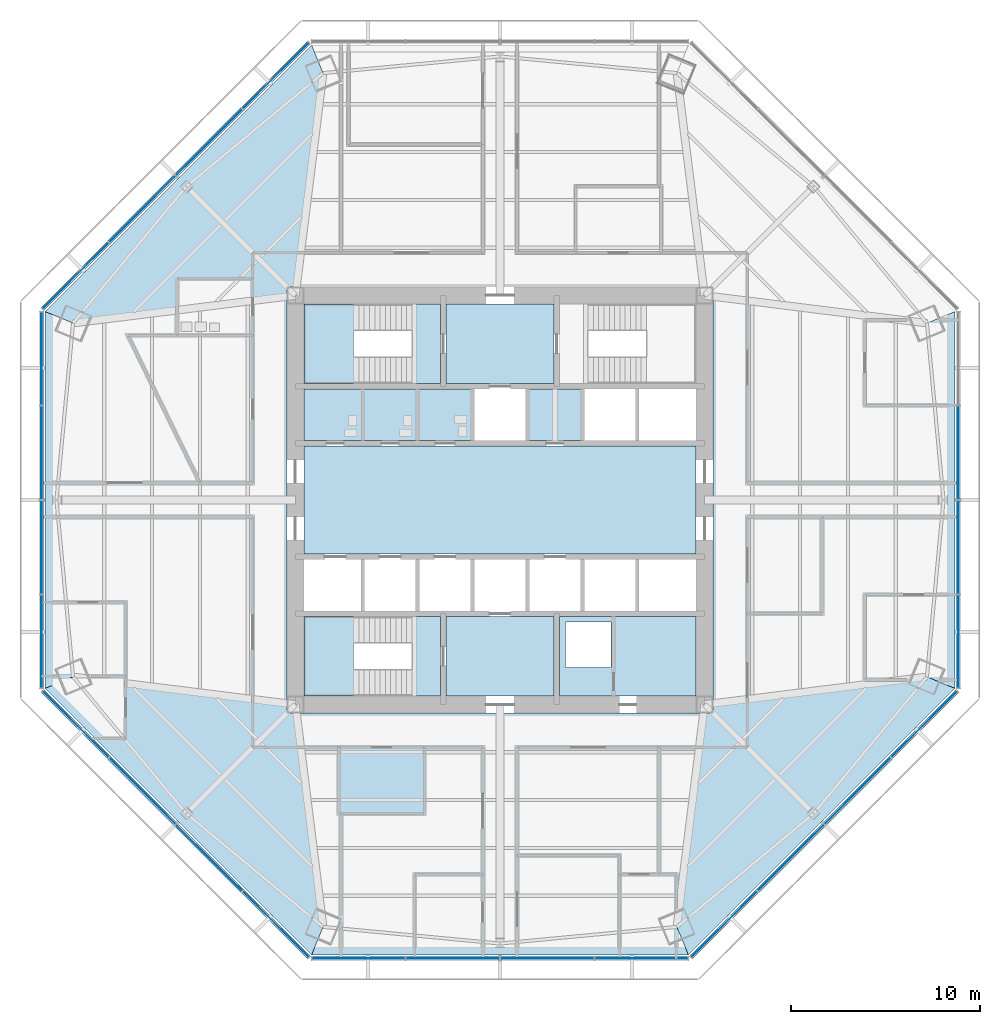
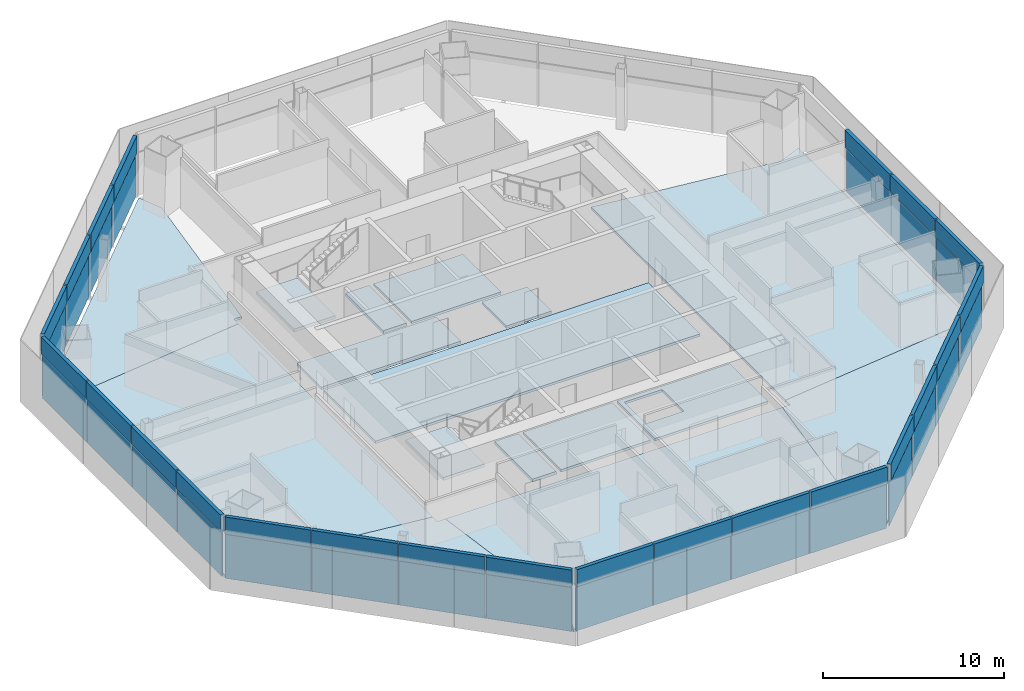
# One storey, part 7 of 14: 46 plates, 16 slabs, 8 elements without a shape of their own.
"""IFC4 building model written with IfcOpenShell, lengths in metres."""

from ifc_helpers import new_model, si_unit, direction, frame, origin, origin_2d, place, context, subcontext, project, spatial, polyline, rectangle, outline, extrude, source, transform, mapped, material, layer, layer_set, type_object, type_shapes, element, aggregate, save


model = new_model("IFC4")

# Units and contexts
model_context = context("Model", 3, precision=1e-05, world=origin(), true_north=direction((0.0, 1.0)))
body_context = subcontext(model_context, "Body", "Model", "MODEL_VIEW")
ifc_project = project(units=[si_unit("LENGTHUNIT", "METRE"), si_unit("AREAUNIT", "SQUARE_METRE"), si_unit("VOLUMEUNIT", "CUBIC_METRE"), si_unit("PLANEANGLEUNIT", "RADIAN"), si_unit("MASSUNIT", "GRAM", prefix="KILO")], contexts=[model_context])

# Site, building, storey
site_placement = place(None, origin())
site = spatial("IfcSite", under=ifc_project, at=site_placement, CompositionType="ELEMENT")
building_placement = place(site_placement, origin())
building = spatial("IfcBuilding", under=site, at=building_placement, Name="Mashrafa Tower", CompositionType="ELEMENT")
storey_placement = place(building_placement, frame((0.0, 0.0, 134.39990234375)))
storey = spatial("IfcBuildingStorey", under=building, at=storey_placement, Name="L30", CompositionType="ELEMENT", Elevation=134.39990234375)

# Slabs
ifc_material_1 = material(Name="Concrete C35/45", Category="concrete")
ifc_layer_1 = layer(ifc_material_1, 0.1650390625)
ifc_layer_set_1 = layer_set([ifc_layer_1], Name="Floor slab 165")
slab_type_1 = type_object("IfcSlabType", Name="Floor slab 165", PredefinedType="FLOOR", material=ifc_layer_set_1)
slab_1_placement = place(storey_placement, frame((0.0, 0.0, -0.164794921875)))
element("IfcSlab", 1, at=slab_1_placement, inside=storey, type_object=slab_type_1, Name="Floor slab L30 east bay", PredefinedType="FLOOR", context=body_context, shape_type="SweptSolid", body=[
    extrude(outline(polyline([(24.0126953125, -9.9462890625), (22.539306640625, -9.3359375), (11.25, -10.743896484375), (11.25, 10.743896484375), (22.539306640625, 9.3359375), (24.0126953125, 9.9462890625), (24.0126953125, -9.9462890625)])), origin(), (0.0, 0.0, 1.0), 0.164794921875),
])
slab_2_placement = place(storey_placement, frame((0.0, 0.0, -0.164794921875)))
element("IfcSlab", 2, at=slab_2_placement, inside=storey, type_object=slab_type_1, Name="Floor slab L30 north-west bay", PredefinedType="FLOOR", context=body_context, shape_type="SweptSolid", body=[
    extrude(outline(polyline([(-24.0126953125, 9.9462890625), (-9.9462890625, 24.0126953125), (-9.9462890625, 24.0126953125), (-9.3359375, 22.539306640625), (-10.743896484375, 11.25), (-11.25, 11.25), (-11.25, 10.743896484375), (-22.539306640625, 9.3359375), (-24.0126953125, 9.9462890625), (-24.0126953125, 9.9462890625)])), origin(), (0.0, 0.0, 1.0), 0.164794921875),
])
slab_3_placement = place(storey_placement, frame((0.0, 0.0, -0.164794921875)))
element("IfcSlab", 3, at=slab_3_placement, inside=storey, type_object=slab_type_1, Name="Floor slab L30 west bay", PredefinedType="FLOOR", context=body_context, shape_type="SweptSolid", body=[
    extrude(outline(polyline([(-24.0126953125, 9.9462890625), (-22.539306640625, 9.3359375), (-11.25, 10.743896484375), (-11.25, -10.743896484375), (-22.539306640625, -9.3359375), (-24.0126953125, -9.9462890625), (-24.0126953125, 9.9462890625)])), origin(), (0.0, 0.0, 1.0), 0.164794921875),
])
slab_4_placement = place(storey_placement, frame((0.0, 0.0, -0.164794921875)))
element("IfcSlab", 4, at=slab_4_placement, inside=storey, type_object=slab_type_1, Name="Floor slab L30 south-west bay", PredefinedType="FLOOR", context=body_context, shape_type="SweptSolid", body=[
    extrude(outline(polyline([(-9.9462890625, -24.0126953125), (-24.0126953125, -9.9462890625), (-24.0126953125, -9.9462890625), (-22.539306640625, -9.3359375), (-11.25, -10.743896484375), (-11.25, -11.25), (-10.743896484375, -11.25), (-9.3359375, -22.539306640625), (-9.9462890625, -24.0126953125), (-9.9462890625, -24.0126953125)])), origin(), (0.0, 0.0, 1.0), 0.164794921875),
])
slab_5_placement = place(storey_placement, frame((0.0, 0.0, -0.164794921875)))
element("IfcSlab", 5, at=slab_5_placement, inside=storey, type_object=slab_type_1, Name="Floor slab L30 south bay", PredefinedType="FLOOR", context=body_context, shape_type="SweptSolid", body=[
    extrude(outline(polyline([(-9.9462890625, -24.0126953125), (-9.3359375, -22.539306640625), (-10.743896484375, -11.25), (10.743896484375, -11.25), (9.3359375, -22.539306640625), (9.9462890625, -24.0126953125), (-9.9462890625, -24.0126953125)])), origin(), (0.0, 0.0, 1.0), 0.164794921875),
])
slab_6_placement = place(storey_placement, frame((0.0, 0.0, -0.164794921875)))
element("IfcSlab", 6, at=slab_6_placement, inside=storey, type_object=slab_type_1, Name="Floor slab L30 south-east bay", PredefinedType="FLOOR", context=body_context, shape_type="SweptSolid", body=[
    extrude(outline(polyline([(9.9462890625, -24.0126953125), (9.3359375, -22.539306640625), (10.743896484375, -11.25), (11.25, -11.25), (11.25, -10.743896484375), (22.539306640625, -9.3359375), (24.0126953125, -9.9462890625), (24.0126953125, -9.9462890625), (9.9462890625, -24.0126953125), (9.9462890625, -24.0126953125)])), origin(), (0.0, 0.0, 1.0), 0.164794921875),
])
slab_7_placement = place(storey_placement, frame((0.0, 0.0, -0.164794921875)))
element("IfcSlab", 7, at=slab_7_placement, inside=storey, type_object=slab_type_1, Name="Core floor lift hall L30", PredefinedType="FLOOR", context=body_context, shape_type="SweptSolid", body=[
    extrude(outline(polyline([(-10.35009765625, 2.85009765625), (10.35009765625, 2.85009765625), (10.35009765625, -2.85009765625), (-10.35009765625, -2.85009765625), (-10.35009765625, 2.85009765625)])), origin(), (0.0, 0.0, 1.0), 0.164794921875),
])
slab_8_placement = place(storey_placement, frame((0.0, 0.0, -0.164794921875)))
element("IfcSlab", 8, at=slab_8_placement, inside=storey, type_object=slab_type_1, Name="Core floor riser and electrical band L30", PredefinedType="FLOOR", context=body_context, shape_type="SweptSolid", body=[
    extrude(outline(polyline([(10.35009765625, -6.14990234375), (10.35009765625, -10.35009765625), (3.14990234375, -10.35009765625), (3.14990234375, -6.14990234375), (10.35009765625, -6.14990234375)]), holes=[polyline([(3.449951171875, -8.85009765625), (5.85009765625, -8.85009765625), (5.85009765625, -6.449951171875), (3.449951171875, -6.449951171875), (3.449951171875, -8.85009765625)])]), origin(), (0.0, 0.0, 1.0), 0.164794921875),
])
slab_9_placement = place(storey_placement, frame((0.0, 0.0, -0.164794921875)))
element("IfcSlab", 9, at=slab_9_placement, inside=storey, type_object=slab_type_1, Name="Core floor lift cell L30", PredefinedType="FLOOR", context=body_context, shape_type="SweptSolid", body=[
    extrude(outline(polyline([(-1.449951171875, 3.14990234375), (-10.35009765625, 3.14990234375), (-10.35009765625, 5.85009765625), (-1.449951171875, 5.85009765625), (-1.449951171875, 3.14990234375)])), origin(), (0.0, 0.0, 1.0), 0.164794921875),
])
slab_10_placement = place(storey_placement, frame((0.0, 0.0, -0.164794921875)))
element("IfcSlab", 10, at=slab_10_placement, inside=storey, type_object=slab_type_1, Name="Core floor fire-fighting lobby north L30", PredefinedType="FLOOR", context=body_context, shape_type="SweptSolid", body=[
    extrude(outline(polyline([(-2.85009765625, 10.35009765625), (2.85009765625, 10.35009765625), (2.85009765625, 6.14990234375), (-2.85009765625, 6.14990234375), (-2.85009765625, 10.35009765625)])), origin(), (0.0, 0.0, 1.0), 0.164794921875),
])
slab_11_placement = place(storey_placement, frame((0.0, 0.0, -0.164794921875)))
element("IfcSlab", 11, at=slab_11_placement, inside=storey, type_object=slab_type_1, Name="Core floor fire-fighting lobby south L30", PredefinedType="FLOOR", context=body_context, shape_type="SweptSolid", body=[
    extrude(outline(polyline([(2.85009765625, -6.14990234375), (2.85009765625, -10.35009765625), (-2.85009765625, -10.35009765625), (-2.85009765625, -6.14990234375), (2.85009765625, -6.14990234375)])), origin(), (0.0, 0.0, 1.0), 0.164794921875),
])
slab_12_placement = place(storey_placement, frame((0.0, 0.0, -0.164794921875)))
element("IfcSlab", 12, at=slab_12_placement, inside=storey, type_object=slab_type_1, Name="Core floor lift cell L30", PredefinedType="FLOOR", context=body_context, shape_type="SweptSolid", body=[
    extrude(outline(polyline([(4.35009765625, 5.85009765625), (4.35009765625, 3.14990234375), (1.449951171875, 3.14990234375), (1.449951171875, 5.85009765625), (4.35009765625, 5.85009765625)])), origin(), (0.0, 0.0, 1.0), 0.164794921875),
])

# Stair, slabs
ifc_material_2 = material(Name="Exit stair 1400")
stair_type = type_object("IfcStairType", Name="Exit stair 1400", PredefinedType="HALF_TURN_STAIR", material=ifc_material_2)
stair_1_placement = place(storey_placement, origin())
stair_1 = element("IfcStair", 13, at=stair_1_placement, inside=storey, type_object=stair_type, Name="Stair S1 L30", PredefinedType="HALF_TURN_STAIR")
ifc_material_3 = material(Name="Concrete C32/40", Category="concrete")
ifc_layer_2 = layer(ifc_material_3, 0.199951171875)
ifc_layer_set_2 = layer_set([ifc_layer_2], Name="Stair landing 200")
slab_type_2 = type_object("IfcSlabType", Name="Stair landing 200", PredefinedType="LANDING", material=ifc_layer_set_2)
slab_13_placement = place(storey_placement, frame((0.0, 0.0, -0.199951171875)))
slab_13 = element("IfcSlab", 14, at=slab_13_placement, type_object=slab_type_2, Name="S1 landing 1", PredefinedType="LANDING", context=body_context, shape_type="SweptSolid", body=[
    extrude(outline(polyline([(-4.659912109375, 6.14990234375), (-3.14990234375, 6.14990234375), (-3.14990234375, 10.35009765625), (-4.659912109375, 10.35009765625), (-4.659912109375, 6.14990234375)])), origin(), (0.0, 0.0, 1.0), 0.199951171875),
])
slab_14_placement = place(storey_placement, frame((0.0, 0.0, 1.900146484375)))
slab_14 = element("IfcSlab", 15, at=slab_14_placement, type_object=slab_type_2, Name="S1 landing 2", PredefinedType="LANDING", context=body_context, shape_type="SweptSolid", body=[
    extrude(outline(polyline([(-10.35009765625, 6.14990234375), (-7.719970703125, 6.14990234375), (-7.719970703125, 10.35009765625), (-10.35009765625, 10.35009765625), (-10.35009765625, 6.14990234375)])), origin(), (0.0, 0.0, 1.0), 0.199951171875),
])
aggregate(stair_1, [slab_13, slab_14])

stair_2_placement = place(storey_placement, origin())
stair_2 = element("IfcStair", 16, at=stair_2_placement, inside=storey, type_object=stair_type, Name="Stair S3 L30", PredefinedType="HALF_TURN_STAIR")
slab_15_placement = place(storey_placement, frame((0.0, 0.0, -0.199951171875)))
slab_15 = element("IfcSlab", 17, at=slab_15_placement, type_object=slab_type_2, Name="S3 landing 1", PredefinedType="LANDING", context=body_context, shape_type="SweptSolid", body=[
    extrude(outline(polyline([(-4.659912109375, -10.35009765625), (-3.14990234375, -10.35009765625), (-3.14990234375, -6.14990234375), (-4.659912109375, -6.14990234375), (-4.659912109375, -10.35009765625)])), origin(), (0.0, 0.0, 1.0), 0.199951171875),
])
slab_16_placement = place(storey_placement, frame((0.0, 0.0, 1.900146484375)))
slab_16 = element("IfcSlab", 18, at=slab_16_placement, type_object=slab_type_2, Name="S3 landing 2", PredefinedType="LANDING", context=body_context, shape_type="SweptSolid", body=[
    extrude(outline(polyline([(-10.35009765625, -10.35009765625), (-7.719970703125, -10.35009765625), (-7.719970703125, -6.14990234375), (-10.35009765625, -6.14990234375), (-10.35009765625, -10.35009765625)])), origin(), (0.0, 0.0, 1.0), 0.199951171875),
])
aggregate(stair_2, [slab_15, slab_16])

# Curtain wall, plate
ifc_material_4 = material(Name="Unitised aluminium curtain wall", Category="aluminium")
curtain_wall_type = type_object("IfcCurtainWallType", Name="Office curtain wall, zone 2 CW-B 225 deep", PredefinedType="NOTDEFINED", material=ifc_material_4)
curtain_wall_1_placement = place(storey_placement, origin())
curtain_wall_1 = element("IfcCurtainWall", 19, at=curtain_wall_1_placement, inside=storey, type_object=curtain_wall_type, Name="Office curtain wall, zone 2 L30 east", PredefinedType="NOTDEFINED")
ifc_material_5 = material(Name="Insulated double glazing, low-e, neutral", Category="glass")
ifc_layer_3 = layer(ifc_material_5, 0.028076171875)
ifc_layer_set_3 = layer_set([ifc_layer_3], Name="Vision panel CW-B 28")
plate_type_1 = type_object("IfcPlateType", Name="Vision panel CW-B 28", PredefinedType="CURTAIN_PANEL", material=ifc_layer_set_3)
shared_shape_1 = source(origin(), body_context, "Body", "SweptSolid", [
    extrude(rectangle(XDim=4.888916015625, YDim=0.028076171875, at=origin_2d()), origin(), (0.0, 0.0, 1.0), 2.9599609375),
])
plate_1_placement = place(storey_placement, frame((24.212646484375, -7.463134765625, 0.0), z_axis=(0.0, 0.0, 1.0), x_axis=(0.0, 1.0, 0.0)))
plate_1 = element("IfcPlate", 20, at=plate_1_placement, type_object=plate_type_1, Name="CW-B vision panel 1", PredefinedType="CURTAIN_PANEL", context=body_context, shape_type="MappedRepresentation", body=[
    mapped(shared_shape_1, transform((0.0, 0.0, 0.0))),
])

# Curtain wall, plates
curtain_wall_2_placement = place(storey_placement, origin())
curtain_wall_2 = element("IfcCurtainWall", 21, at=curtain_wall_2_placement, inside=storey, type_object=curtain_wall_type, Name="Office curtain wall, zone 2 L30 north-west", PredefinedType="NOTDEFINED")
plate_2_placement = place(storey_placement, frame((-11.84375, 22.398193359375, 0.0), z_axis=(0.0, 0.0, 1.0), x_axis=(-0.707106781187, -0.707106781187, 0.0)))
plate_2 = element("IfcPlate", 22, at=plate_2_placement, type_object=plate_type_1, Name="CW-B vision panel 1", PredefinedType="CURTAIN_PANEL", context=body_context, shape_type="MappedRepresentation", body=[
    mapped(shared_shape_1, transform((0.0, 0.0, 0.0))),
])
plate_3_placement = place(storey_placement, frame((-22.398193359375, 11.84375, 0.0), z_axis=(0.0, 0.0, 1.0), x_axis=(-0.707106781187, -0.707106781187, 0.0)))
plate_3 = element("IfcPlate", 23, at=plate_3_placement, type_object=plate_type_1, Name="CW-B vision panel 4", PredefinedType="CURTAIN_PANEL", context=body_context, shape_type="MappedRepresentation", body=[
    mapped(shared_shape_1, transform((0.0, 0.0, 0.0))),
])

curtain_wall_3_placement = place(storey_placement, origin())
curtain_wall_3 = element("IfcCurtainWall", 24, at=curtain_wall_3_placement, inside=storey, type_object=curtain_wall_type, Name="Office curtain wall, zone 2 L30 west", PredefinedType="NOTDEFINED")
plate_4_placement = place(storey_placement, frame((-24.212646484375, 7.463134765625, 0.0), z_axis=(0.0, 0.0, 1.0), x_axis=(0.0, -1.0, 0.0)))
plate_4 = element("IfcPlate", 25, at=plate_4_placement, type_object=plate_type_1, Name="CW-B vision panel 1", PredefinedType="CURTAIN_PANEL", context=body_context, shape_type="MappedRepresentation", body=[
    mapped(shared_shape_1, transform((0.0, 0.0, 0.0))),
])
plate_5_placement = place(storey_placement, frame((-24.212646484375, -7.463134765625, 0.0), z_axis=(0.0, 0.0, 1.0), x_axis=(0.0, -1.0, 0.0)))
plate_5 = element("IfcPlate", 26, at=plate_5_placement, type_object=plate_type_1, Name="CW-B vision panel 4", PredefinedType="CURTAIN_PANEL", context=body_context, shape_type="MappedRepresentation", body=[
    mapped(shared_shape_1, transform((0.0, 0.0, 0.0))),
])

curtain_wall_4_placement = place(storey_placement, origin())
curtain_wall_4 = element("IfcCurtainWall", 27, at=curtain_wall_4_placement, inside=storey, type_object=curtain_wall_type, Name="Office curtain wall, zone 2 L30 south-west", PredefinedType="NOTDEFINED")
plate_6_placement = place(storey_placement, frame((-22.398193359375, -11.84375, 0.0), z_axis=(0.0, 0.0, 1.0), x_axis=(0.707106781187, -0.707106781187, 0.0)))
plate_6 = element("IfcPlate", 28, at=plate_6_placement, type_object=plate_type_1, Name="CW-B vision panel 1", PredefinedType="CURTAIN_PANEL", context=body_context, shape_type="MappedRepresentation", body=[
    mapped(shared_shape_1, transform((0.0, 0.0, 0.0))),
])
plate_7_placement = place(storey_placement, frame((-11.84375, -22.398193359375, 0.0), z_axis=(0.0, 0.0, 1.0), x_axis=(0.707106781187, -0.707106781187, 0.0)))
plate_7 = element("IfcPlate", 29, at=plate_7_placement, type_object=plate_type_1, Name="CW-B vision panel 4", PredefinedType="CURTAIN_PANEL", context=body_context, shape_type="MappedRepresentation", body=[
    mapped(shared_shape_1, transform((0.0, 0.0, 0.0))),
])

curtain_wall_5_placement = place(storey_placement, origin())
curtain_wall_5 = element("IfcCurtainWall", 30, at=curtain_wall_5_placement, inside=storey, type_object=curtain_wall_type, Name="Office curtain wall, zone 2 L30 south", PredefinedType="NOTDEFINED")
plate_8_placement = place(storey_placement, frame((-7.463134765625, -24.212646484375, 0.0), z_axis=(0.0, 0.0, 1.0), x_axis=(1.0, 0.0, 0.0)))
plate_8 = element("IfcPlate", 31, at=plate_8_placement, type_object=plate_type_1, Name="CW-B vision panel 1", PredefinedType="CURTAIN_PANEL", context=body_context, shape_type="MappedRepresentation", body=[
    mapped(shared_shape_1, transform((0.0, 0.0, 0.0))),
])
plate_9_placement = place(storey_placement, frame((7.463134765625, -24.212646484375, 0.0), z_axis=(0.0, 0.0, 1.0), x_axis=(1.0, 0.0, 0.0)))
plate_9 = element("IfcPlate", 32, at=plate_9_placement, type_object=plate_type_1, Name="CW-B vision panel 4", PredefinedType="CURTAIN_PANEL", context=body_context, shape_type="MappedRepresentation", body=[
    mapped(shared_shape_1, transform((0.0, 0.0, 0.0))),
])

curtain_wall_6_placement = place(storey_placement, origin())
curtain_wall_6 = element("IfcCurtainWall", 33, at=curtain_wall_6_placement, inside=storey, type_object=curtain_wall_type, Name="Office curtain wall, zone 2 L30 south-east", PredefinedType="NOTDEFINED")
plate_10_placement = place(storey_placement, frame((11.84375, -22.398193359375, 0.0), z_axis=(0.0, 0.0, 1.0), x_axis=(0.707106781187, 0.707106781187, 0.0)))
plate_10 = element("IfcPlate", 34, at=plate_10_placement, type_object=plate_type_1, Name="CW-B vision panel 1", PredefinedType="CURTAIN_PANEL", context=body_context, shape_type="MappedRepresentation", body=[
    mapped(shared_shape_1, transform((0.0, 0.0, 0.0))),
])
plate_11_placement = place(storey_placement, frame((22.398193359375, -11.84375, 0.0), z_axis=(0.0, 0.0, 1.0), x_axis=(0.707106781187, 0.707106781187, 0.0)))
plate_11 = element("IfcPlate", 35, at=plate_11_placement, type_object=plate_type_1, Name="CW-B vision panel 4", PredefinedType="CURTAIN_PANEL", context=body_context, shape_type="MappedRepresentation", body=[
    mapped(shared_shape_1, transform((0.0, 0.0, 0.0))),
])

# Plate
ifc_material_6 = material(Name="Insulated aluminium spandrel panel", Category="aluminium")
ifc_layer_4 = layer(ifc_material_6, 0.219970703125)
ifc_layer_set_4 = layer_set([ifc_layer_4], Name="Spandrel panel CW-B 220")
plate_type_2 = type_object("IfcPlateType", Name="Spandrel panel CW-B 220", PredefinedType="CURTAIN_PANEL", material=ifc_layer_set_4)
shared_shape_2 = source(origin(), body_context, "Body", "SweptSolid", [
    extrude(rectangle(XDim=4.888916015625, YDim=0.219970703125, at=origin_2d()), origin(), (0.0, 0.0, 1.0), 1.159912109375),
])
plate_12_placement = place(storey_placement, frame((24.212646484375, -7.463134765625, 3.0400390625), z_axis=(0.0, 0.0, 1.0), x_axis=(0.0, 1.0, 0.0)))
plate_12 = element("IfcPlate", 36, at=plate_12_placement, type_object=plate_type_2, Name="CW-B spandrel panel 1", PredefinedType="CURTAIN_PANEL", context=body_context, shape_type="MappedRepresentation", body=[
    mapped(shared_shape_2, transform((0.0, 0.0, 0.0))),
])

plate_13_placement = place(storey_placement, frame((-11.84375, 22.398193359375, 3.0400390625), z_axis=(0.0, 0.0, 1.0), x_axis=(-0.707106781187, -0.707106781187, 0.0)))
plate_13 = element("IfcPlate", 37, at=plate_13_placement, type_object=plate_type_2, Name="CW-B spandrel panel 1", PredefinedType="CURTAIN_PANEL", context=body_context, shape_type="MappedRepresentation", body=[
    mapped(shared_shape_2, transform((0.0, 0.0, 0.0))),
])

plate_14_placement = place(storey_placement, frame((-22.398193359375, 11.84375, 3.0400390625), z_axis=(0.0, 0.0, 1.0), x_axis=(-0.707106781187, -0.707106781187, 0.0)))
plate_14 = element("IfcPlate", 38, at=plate_14_placement, type_object=plate_type_2, Name="CW-B spandrel panel 4", PredefinedType="CURTAIN_PANEL", context=body_context, shape_type="MappedRepresentation", body=[
    mapped(shared_shape_2, transform((0.0, 0.0, 0.0))),
])

plate_15_placement = place(storey_placement, frame((-24.212646484375, 7.463134765625, 3.0400390625), z_axis=(0.0, 0.0, 1.0), x_axis=(0.0, -1.0, 0.0)))
plate_15 = element("IfcPlate", 39, at=plate_15_placement, type_object=plate_type_2, Name="CW-B spandrel panel 1", PredefinedType="CURTAIN_PANEL", context=body_context, shape_type="MappedRepresentation", body=[
    mapped(shared_shape_2, transform((0.0, 0.0, 0.0))),
])

plate_16_placement = place(storey_placement, frame((-24.212646484375, -7.463134765625, 3.0400390625), z_axis=(0.0, 0.0, 1.0), x_axis=(0.0, -1.0, 0.0)))
plate_16 = element("IfcPlate", 40, at=plate_16_placement, type_object=plate_type_2, Name="CW-B spandrel panel 4", PredefinedType="CURTAIN_PANEL", context=body_context, shape_type="MappedRepresentation", body=[
    mapped(shared_shape_2, transform((0.0, 0.0, 0.0))),
])

plate_17_placement = place(storey_placement, frame((-22.398193359375, -11.84375, 3.0400390625), z_axis=(0.0, 0.0, 1.0), x_axis=(0.707106781187, -0.707106781187, 0.0)))
plate_17 = element("IfcPlate", 41, at=plate_17_placement, type_object=plate_type_2, Name="CW-B spandrel panel 1", PredefinedType="CURTAIN_PANEL", context=body_context, shape_type="MappedRepresentation", body=[
    mapped(shared_shape_2, transform((0.0, 0.0, 0.0))),
])

plate_18_placement = place(storey_placement, frame((-11.84375, -22.398193359375, 3.0400390625), z_axis=(0.0, 0.0, 1.0), x_axis=(0.707106781187, -0.707106781187, 0.0)))
plate_18 = element("IfcPlate", 42, at=plate_18_placement, type_object=plate_type_2, Name="CW-B spandrel panel 4", PredefinedType="CURTAIN_PANEL", context=body_context, shape_type="MappedRepresentation", body=[
    mapped(shared_shape_2, transform((0.0, 0.0, 0.0))),
])

plate_19_placement = place(storey_placement, frame((-7.463134765625, -24.212646484375, 3.0400390625), z_axis=(0.0, 0.0, 1.0), x_axis=(1.0, 0.0, 0.0)))
plate_19 = element("IfcPlate", 43, at=plate_19_placement, type_object=plate_type_2, Name="CW-B spandrel panel 1", PredefinedType="CURTAIN_PANEL", context=body_context, shape_type="MappedRepresentation", body=[
    mapped(shared_shape_2, transform((0.0, 0.0, 0.0))),
])

plate_20_placement = place(storey_placement, frame((7.463134765625, -24.212646484375, 3.0400390625), z_axis=(0.0, 0.0, 1.0), x_axis=(1.0, 0.0, 0.0)))
plate_20 = element("IfcPlate", 44, at=plate_20_placement, type_object=plate_type_2, Name="CW-B spandrel panel 4", PredefinedType="CURTAIN_PANEL", context=body_context, shape_type="MappedRepresentation", body=[
    mapped(shared_shape_2, transform((0.0, 0.0, 0.0))),
])

plate_21_placement = place(storey_placement, frame((11.84375, -22.398193359375, 3.0400390625), z_axis=(0.0, 0.0, 1.0), x_axis=(0.707106781187, 0.707106781187, 0.0)))
plate_21 = element("IfcPlate", 45, at=plate_21_placement, type_object=plate_type_2, Name="CW-B spandrel panel 1", PredefinedType="CURTAIN_PANEL", context=body_context, shape_type="MappedRepresentation", body=[
    mapped(shared_shape_2, transform((0.0, 0.0, 0.0))),
])

plate_22_placement = place(storey_placement, frame((22.398193359375, -11.84375, 3.0400390625), z_axis=(0.0, 0.0, 1.0), x_axis=(0.707106781187, 0.707106781187, 0.0)))
plate_22 = element("IfcPlate", 46, at=plate_22_placement, type_object=plate_type_2, Name="CW-B spandrel panel 4", PredefinedType="CURTAIN_PANEL", context=body_context, shape_type="MappedRepresentation", body=[
    mapped(shared_shape_2, transform((0.0, 0.0, 0.0))),
])

shared_shape_3 = source(origin(), body_context, "Body", "SweptSolid", [
    extrude(rectangle(XDim=4.92138671875, YDim=0.028076171875, at=origin_2d()), origin(), (0.0, 0.0, 1.0), 2.9599609375),
])
type_shapes(plate_type_1, [shared_shape_1, shared_shape_3])
plate_23_placement = place(storey_placement, frame((24.212646484375, -2.4931640625, 0.0), z_axis=(0.0, 0.0, 1.0), x_axis=(0.0, 1.0, 0.0)))
plate_23 = element("IfcPlate", 47, at=plate_23_placement, type_object=plate_type_1, Name="CW-B vision panel 2", PredefinedType="CURTAIN_PANEL", context=body_context, shape_type="MappedRepresentation", body=[
    mapped(shared_shape_3, transform((0.0, 0.0, 0.0))),
])

plate_24_placement = place(storey_placement, frame((24.212646484375, 2.4931640625, 0.0), z_axis=(0.0, 0.0, 1.0), x_axis=(0.0, 1.0, 0.0)))
plate_24 = element("IfcPlate", 48, at=plate_24_placement, type_object=plate_type_1, Name="CW-B vision panel 3", PredefinedType="CURTAIN_PANEL", context=body_context, shape_type="MappedRepresentation", body=[
    mapped(shared_shape_3, transform((0.0, 0.0, 0.0))),
])

plate_25_placement = place(storey_placement, frame((-15.358154296875, 18.884033203125, 0.0), z_axis=(0.0, 0.0, 1.0), x_axis=(-0.707106781187, -0.707106781187, 0.0)))
plate_25 = element("IfcPlate", 49, at=plate_25_placement, type_object=plate_type_1, Name="CW-B vision panel 2", PredefinedType="CURTAIN_PANEL", context=body_context, shape_type="MappedRepresentation", body=[
    mapped(shared_shape_3, transform((0.0, 0.0, 0.0))),
])

plate_26_placement = place(storey_placement, frame((-18.884033203125, 15.358154296875, 0.0), z_axis=(0.0, 0.0, 1.0), x_axis=(-0.707106781187, -0.707106781187, 0.0)))
plate_26 = element("IfcPlate", 50, at=plate_26_placement, type_object=plate_type_1, Name="CW-B vision panel 3", PredefinedType="CURTAIN_PANEL", context=body_context, shape_type="MappedRepresentation", body=[
    mapped(shared_shape_3, transform((0.0, 0.0, 0.0))),
])

plate_27_placement = place(storey_placement, frame((-24.212646484375, 2.4931640625, 0.0), z_axis=(0.0, 0.0, 1.0), x_axis=(0.0, -1.0, 0.0)))
plate_27 = element("IfcPlate", 51, at=plate_27_placement, type_object=plate_type_1, Name="CW-B vision panel 2", PredefinedType="CURTAIN_PANEL", context=body_context, shape_type="MappedRepresentation", body=[
    mapped(shared_shape_3, transform((0.0, 0.0, 0.0))),
])

plate_28_placement = place(storey_placement, frame((-24.212646484375, -2.4931640625, 0.0), z_axis=(0.0, 0.0, 1.0), x_axis=(0.0, -1.0, 0.0)))
plate_28 = element("IfcPlate", 52, at=plate_28_placement, type_object=plate_type_1, Name="CW-B vision panel 3", PredefinedType="CURTAIN_PANEL", context=body_context, shape_type="MappedRepresentation", body=[
    mapped(shared_shape_3, transform((0.0, 0.0, 0.0))),
])

plate_29_placement = place(storey_placement, frame((-18.884033203125, -15.358154296875, 0.0), z_axis=(0.0, 0.0, 1.0), x_axis=(0.707106781187, -0.707106781187, 0.0)))
plate_29 = element("IfcPlate", 53, at=plate_29_placement, type_object=plate_type_1, Name="CW-B vision panel 2", PredefinedType="CURTAIN_PANEL", context=body_context, shape_type="MappedRepresentation", body=[
    mapped(shared_shape_3, transform((0.0, 0.0, 0.0))),
])

plate_30_placement = place(storey_placement, frame((-15.358154296875, -18.884033203125, 0.0), z_axis=(0.0, 0.0, 1.0), x_axis=(0.707106781187, -0.707106781187, 0.0)))
plate_30 = element("IfcPlate", 54, at=plate_30_placement, type_object=plate_type_1, Name="CW-B vision panel 3", PredefinedType="CURTAIN_PANEL", context=body_context, shape_type="MappedRepresentation", body=[
    mapped(shared_shape_3, transform((0.0, 0.0, 0.0))),
])

plate_31_placement = place(storey_placement, frame((-2.4931640625, -24.212646484375, 0.0), z_axis=(0.0, 0.0, 1.0), x_axis=(1.0, 0.0, 0.0)))
plate_31 = element("IfcPlate", 55, at=plate_31_placement, type_object=plate_type_1, Name="CW-B vision panel 2", PredefinedType="CURTAIN_PANEL", context=body_context, shape_type="MappedRepresentation", body=[
    mapped(shared_shape_3, transform((0.0, 0.0, 0.0))),
])

plate_32_placement = place(storey_placement, frame((2.4931640625, -24.212646484375, 0.0), z_axis=(0.0, 0.0, 1.0), x_axis=(1.0, 0.0, 0.0)))
plate_32 = element("IfcPlate", 56, at=plate_32_placement, type_object=plate_type_1, Name="CW-B vision panel 3", PredefinedType="CURTAIN_PANEL", context=body_context, shape_type="MappedRepresentation", body=[
    mapped(shared_shape_3, transform((0.0, 0.0, 0.0))),
])

plate_33_placement = place(storey_placement, frame((15.358154296875, -18.884033203125, 0.0), z_axis=(0.0, 0.0, 1.0), x_axis=(0.707106781187, 0.707106781187, 0.0)))
plate_33 = element("IfcPlate", 57, at=plate_33_placement, type_object=plate_type_1, Name="CW-B vision panel 2", PredefinedType="CURTAIN_PANEL", context=body_context, shape_type="MappedRepresentation", body=[
    mapped(shared_shape_3, transform((0.0, 0.0, 0.0))),
])

plate_34_placement = place(storey_placement, frame((18.884033203125, -15.358154296875, 0.0), z_axis=(0.0, 0.0, 1.0), x_axis=(0.707106781187, 0.707106781187, 0.0)))
plate_34 = element("IfcPlate", 58, at=plate_34_placement, type_object=plate_type_1, Name="CW-B vision panel 3", PredefinedType="CURTAIN_PANEL", context=body_context, shape_type="MappedRepresentation", body=[
    mapped(shared_shape_3, transform((0.0, 0.0, 0.0))),
])

shared_shape_4 = source(origin(), body_context, "Body", "SweptSolid", [
    extrude(rectangle(XDim=4.92138671875, YDim=0.219970703125, at=origin_2d()), origin(), (0.0, 0.0, 1.0), 1.159912109375),
])
type_shapes(plate_type_2, [shared_shape_2, shared_shape_4])
plate_35_placement = place(storey_placement, frame((24.212646484375, -2.4931640625, 3.0400390625), z_axis=(0.0, 0.0, 1.0), x_axis=(0.0, 1.0, 0.0)))
plate_35 = element("IfcPlate", 59, at=plate_35_placement, type_object=plate_type_2, Name="CW-B spandrel panel 2", PredefinedType="CURTAIN_PANEL", context=body_context, shape_type="MappedRepresentation", body=[
    mapped(shared_shape_4, transform((0.0, 0.0, 0.0))),
])

plate_36_placement = place(storey_placement, frame((24.212646484375, 2.4931640625, 3.0400390625), z_axis=(0.0, 0.0, 1.0), x_axis=(0.0, 1.0, 0.0)))
plate_36 = element("IfcPlate", 60, at=plate_36_placement, type_object=plate_type_2, Name="CW-B spandrel panel 3", PredefinedType="CURTAIN_PANEL", context=body_context, shape_type="MappedRepresentation", body=[
    mapped(shared_shape_4, transform((0.0, 0.0, 0.0))),
])

aggregate(curtain_wall_1, [plate_1, plate_12, plate_23, plate_35, plate_24, plate_36])

plate_37_placement = place(storey_placement, frame((-15.358154296875, 18.884033203125, 3.0400390625), z_axis=(0.0, 0.0, 1.0), x_axis=(-0.707106781187, -0.707106781187, 0.0)))
plate_37 = element("IfcPlate", 61, at=plate_37_placement, type_object=plate_type_2, Name="CW-B spandrel panel 2", PredefinedType="CURTAIN_PANEL", context=body_context, shape_type="MappedRepresentation", body=[
    mapped(shared_shape_4, transform((0.0, 0.0, 0.0))),
])

plate_38_placement = place(storey_placement, frame((-18.884033203125, 15.358154296875, 3.0400390625), z_axis=(0.0, 0.0, 1.0), x_axis=(-0.707106781187, -0.707106781187, 0.0)))
plate_38 = element("IfcPlate", 62, at=plate_38_placement, type_object=plate_type_2, Name="CW-B spandrel panel 3", PredefinedType="CURTAIN_PANEL", context=body_context, shape_type="MappedRepresentation", body=[
    mapped(shared_shape_4, transform((0.0, 0.0, 0.0))),
])

aggregate(curtain_wall_2, [plate_2, plate_13, plate_25, plate_37, plate_26, plate_38, plate_3, plate_14])

plate_39_placement = place(storey_placement, frame((-24.212646484375, 2.4931640625, 3.0400390625), z_axis=(0.0, 0.0, 1.0), x_axis=(0.0, -1.0, 0.0)))
plate_39 = element("IfcPlate", 63, at=plate_39_placement, type_object=plate_type_2, Name="CW-B spandrel panel 2", PredefinedType="CURTAIN_PANEL", context=body_context, shape_type="MappedRepresentation", body=[
    mapped(shared_shape_4, transform((0.0, 0.0, 0.0))),
])

plate_40_placement = place(storey_placement, frame((-24.212646484375, -2.4931640625, 3.0400390625), z_axis=(0.0, 0.0, 1.0), x_axis=(0.0, -1.0, 0.0)))
plate_40 = element("IfcPlate", 64, at=plate_40_placement, type_object=plate_type_2, Name="CW-B spandrel panel 3", PredefinedType="CURTAIN_PANEL", context=body_context, shape_type="MappedRepresentation", body=[
    mapped(shared_shape_4, transform((0.0, 0.0, 0.0))),
])

aggregate(curtain_wall_3, [plate_4, plate_15, plate_27, plate_39, plate_28, plate_40, plate_5, plate_16])

plate_41_placement = place(storey_placement, frame((-18.884033203125, -15.358154296875, 3.0400390625), z_axis=(0.0, 0.0, 1.0), x_axis=(0.707106781187, -0.707106781187, 0.0)))
plate_41 = element("IfcPlate", 65, at=plate_41_placement, type_object=plate_type_2, Name="CW-B spandrel panel 2", PredefinedType="CURTAIN_PANEL", context=body_context, shape_type="MappedRepresentation", body=[
    mapped(shared_shape_4, transform((0.0, 0.0, 0.0))),
])

plate_42_placement = place(storey_placement, frame((-15.358154296875, -18.884033203125, 3.0400390625), z_axis=(0.0, 0.0, 1.0), x_axis=(0.707106781187, -0.707106781187, 0.0)))
plate_42 = element("IfcPlate", 66, at=plate_42_placement, type_object=plate_type_2, Name="CW-B spandrel panel 3", PredefinedType="CURTAIN_PANEL", context=body_context, shape_type="MappedRepresentation", body=[
    mapped(shared_shape_4, transform((0.0, 0.0, 0.0))),
])

aggregate(curtain_wall_4, [plate_6, plate_17, plate_29, plate_41, plate_30, plate_42, plate_7, plate_18])

plate_43_placement = place(storey_placement, frame((-2.4931640625, -24.212646484375, 3.0400390625), z_axis=(0.0, 0.0, 1.0), x_axis=(1.0, 0.0, 0.0)))
plate_43 = element("IfcPlate", 67, at=plate_43_placement, type_object=plate_type_2, Name="CW-B spandrel panel 2", PredefinedType="CURTAIN_PANEL", context=body_context, shape_type="MappedRepresentation", body=[
    mapped(shared_shape_4, transform((0.0, 0.0, 0.0))),
])

plate_44_placement = place(storey_placement, frame((2.4931640625, -24.212646484375, 3.0400390625), z_axis=(0.0, 0.0, 1.0), x_axis=(1.0, 0.0, 0.0)))
plate_44 = element("IfcPlate", 68, at=plate_44_placement, type_object=plate_type_2, Name="CW-B spandrel panel 3", PredefinedType="CURTAIN_PANEL", context=body_context, shape_type="MappedRepresentation", body=[
    mapped(shared_shape_4, transform((0.0, 0.0, 0.0))),
])

aggregate(curtain_wall_5, [plate_8, plate_19, plate_31, plate_43, plate_32, plate_44, plate_9, plate_20])

plate_45_placement = place(storey_placement, frame((15.358154296875, -18.884033203125, 3.0400390625), z_axis=(0.0, 0.0, 1.0), x_axis=(0.707106781187, 0.707106781187, 0.0)))
plate_45 = element("IfcPlate", 69, at=plate_45_placement, type_object=plate_type_2, Name="CW-B spandrel panel 2", PredefinedType="CURTAIN_PANEL", context=body_context, shape_type="MappedRepresentation", body=[
    mapped(shared_shape_4, transform((0.0, 0.0, 0.0))),
])

plate_46_placement = place(storey_placement, frame((18.884033203125, -15.358154296875, 3.0400390625), z_axis=(0.0, 0.0, 1.0), x_axis=(0.707106781187, 0.707106781187, 0.0)))
plate_46 = element("IfcPlate", 70, at=plate_46_placement, type_object=plate_type_2, Name="CW-B spandrel panel 3", PredefinedType="CURTAIN_PANEL", context=body_context, shape_type="MappedRepresentation", body=[
    mapped(shared_shape_4, transform((0.0, 0.0, 0.0))),
])

aggregate(curtain_wall_6, [plate_10, plate_21, plate_33, plate_45, plate_34, plate_46, plate_11, plate_22])

save(model, "model.ifc")
